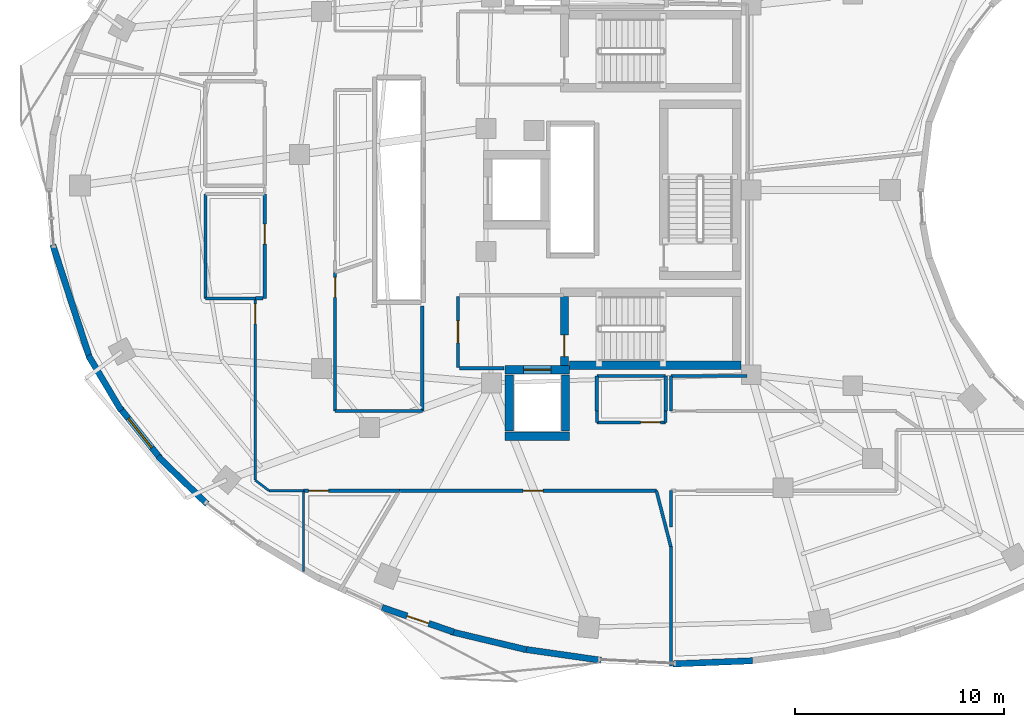
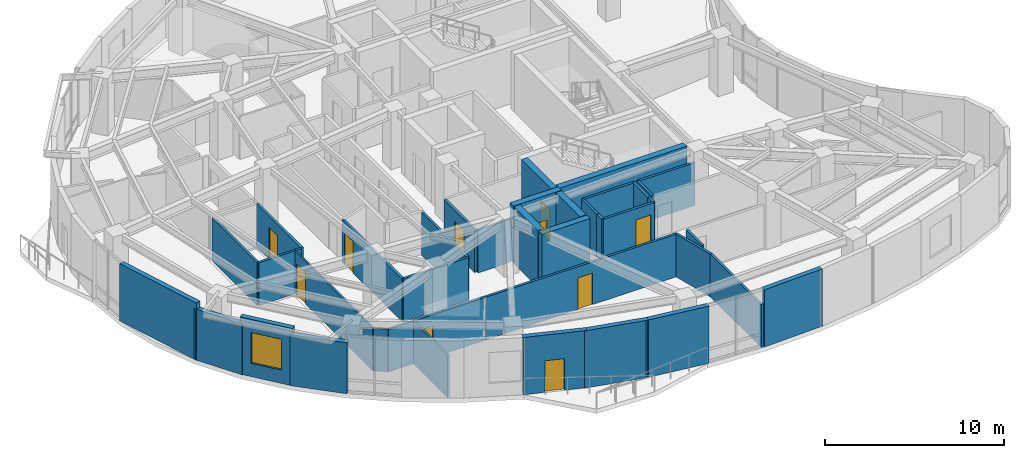
# One storey, part 8 of 14: 40 walls, 10 doors, 1 window, 11 openings.
"""IFC4 building model written with IfcOpenShell, lengths in metres."""

from ifc_helpers import new_model, si_unit, direction, frame, frame_2d, origin, place, context, subcontext, project, spatial, rectangle, extrude, material, layer, layer_set, type_object, element, fill, save


model = new_model("IFC4")

# Units and contexts
model_context = context("Model", 3, precision=1e-05, world=origin(), true_north=direction((0.0, 1.0)))
body_context = subcontext(model_context, "Body", "Model", "MODEL_VIEW")
ifc_project = project(units=[si_unit("LENGTHUNIT", "METRE"), si_unit("AREAUNIT", "SQUARE_METRE"), si_unit("VOLUMEUNIT", "CUBIC_METRE"), si_unit("PLANEANGLEUNIT", "RADIAN"), si_unit("MASSUNIT", "GRAM", prefix="KILO")], contexts=[model_context])

# Site, building, storey
site_placement = place(None, origin())
site = spatial("IfcSite", under=ifc_project, at=site_placement, CompositionType="ELEMENT")
building_placement = place(site_placement, origin())
building = spatial("IfcBuilding", under=site, at=building_placement, Name="Korentha Bioscience Tower", CompositionType="ELEMENT")
storey_placement = place(building_placement, frame((0.0, 0.0, 231.0)))
storey = spatial("IfcBuildingStorey", under=building, at=storey_placement, Name="L53", CompositionType="ELEMENT", Elevation=231.0)

# Wall, opening, door
ifc_material_1 = material(Name="Double-Stud Acoustic Gypsum", Category="gypsum")
ifc_layer_1 = layer(ifc_material_1, 0.14990234375, Name="Double-Stud Acoustic Gypsum")
ifc_layer_set_1 = layer_set([ifc_layer_1], Name="Double-Stud Acoustic Gypsum (IW-L150)")
wall_type_1 = type_object("IfcWallType", Name="Acoustic Laboratory Partition Wall 150", PredefinedType="PARTITIONING", material=ifc_layer_set_1)
wall_1_placement = place(storey_placement, frame((14.239990234375, 26.800048828125, 0.0), z_axis=(0.0, 0.0, 1.0), x_axis=(0.0, -1.0, 0.0)))
wall_1 = element("IfcWall", 1, at=wall_1_placement, inside=storey, type_object=wall_type_1, Name="L53 Reclaimed Bank-1 Cold Freezer Alcove Entrance Wall", PredefinedType="PARTITIONING", context=body_context, shape_type="SweptSolid", body=[
    extrude(rectangle(XDim=4.989990234375, YDim=0.14990234375, at=frame_2d((2.4951171875, 0.0))), origin(), (0.0, 0.0, 1.0), 2.909912109375),
])
opening_1_placement = place(wall_1_placement, frame((1.43994140625, 0.0, 0.0)))
opening_1 = element("IfcOpeningElement", 2, at=opening_1_placement, cuts=wall_1, Name="Opening ID-10R", PredefinedType="OPENING", context=body_context, shape_type="SweptSolid", body=[
    extrude(rectangle(XDim=0.949951171875, YDim=2.14990234375, at=frame_2d((0.47509765625, 1.074951171875))), frame((0.0, 0.08984375, 0.0), z_axis=(0.0, -1.0, 0.0), x_axis=(1.0, 0.0, 0.0)), (0.0, 0.0, 1.0), 0.1796875),
])
ifc_material_2 = material(Name="Phenolic Laminate Timber Core", Category="wood")
door_type_1 = type_object("IfcDoorType", Name="Laboratory Single Leaf Door 950x2150 Right", OperationType="SINGLE_SWING_RIGHT", PredefinedType="DOOR", material=ifc_material_2)
door_1_placement = place(opening_1_placement, origin())
door_1 = element("IfcDoor", 3, at=door_1_placement, inside=storey, type_object=door_type_1, Name="L53 Reclaimed Bank-1 Cold Freezer Alcove Door", OperationType="SINGLE_SWING_RIGHT", OverallHeight=2.14990234375, OverallWidth=0.949951171875, PredefinedType="DOOR", context=body_context, shape_type="SweptSolid", body=[
    extrude(rectangle(XDim=0.949951171875, YDim=2.14990234375, at=frame_2d((0.47509765625, 1.074951171875))), frame((0.0, 0.02490234375, 0.0), z_axis=(0.0, -1.0, 0.0), x_axis=(1.0, 0.0, 0.0)), (0.0, 0.0, 1.0), 0.050048828125),
])
fill(opening_1, door_1)

wall_2_placement = place(storey_placement, frame((17.610107421875, 16.409912109375, 0.0), z_axis=(0.0, 0.0, 1.0), x_axis=(0.0, 1.0, 0.0)))
wall_2 = element("IfcWall", 4, at=wall_2_placement, inside=storey, type_object=wall_type_1, Name="L53 Staff Pantry Kitchenette 02 Entrance Wall", PredefinedType="PARTITIONING", context=body_context, shape_type="SweptSolid", body=[
    extrude(rectangle(XDim=6.637939453125, YDim=0.14990234375, at=frame_2d((3.31884765625, 0.0))), origin(), (0.0, 0.0, 1.0), 2.909912109375),
])
opening_2_placement = place(wall_2_placement, frame((5.44775390625, 0.0, 0.0)))
opening_2 = element("IfcOpeningElement", 5, at=opening_2_placement, cuts=wall_2, Name="Opening ID-10L", PredefinedType="OPENING", context=body_context, shape_type="SweptSolid", body=[
    extrude(rectangle(XDim=0.949951171875, YDim=2.14990234375, at=frame_2d((0.47509765625, 1.074951171875))), frame((0.0, 0.08984375, 0.0), z_axis=(0.0, -1.0, 0.0), x_axis=(1.0, 0.0, 0.0)), (0.0, 0.0, 1.0), 0.1796875),
])
door_type_2 = type_object("IfcDoorType", Name="Laboratory Single Leaf Door 950x2150 Left", OperationType="SINGLE_SWING_LEFT", PredefinedType="DOOR", material=ifc_material_2)
door_2_placement = place(opening_2_placement, origin())
door_2 = element("IfcDoor", 6, at=door_2_placement, inside=storey, type_object=door_type_2, Name="L53 Staff Pantry Kitchenette 02 Door", OperationType="SINGLE_SWING_LEFT", OverallHeight=2.14990234375, OverallWidth=0.949951171875, PredefinedType="DOOR", context=body_context, shape_type="SweptSolid", body=[
    extrude(rectangle(XDim=0.949951171875, YDim=2.14990234375, at=frame_2d((0.47509765625, 1.074951171875))), frame((0.0, 0.02490234375, 0.0), z_axis=(0.0, -1.0, 0.0), x_axis=(1.0, 0.0, 0.0)), (0.0, 0.0, 1.0), 0.050048828125),
])
fill(opening_2, door_2)

wall_3_placement = place(storey_placement, frame((20.69775390625, 12.590087890625, 0.0), z_axis=(0.0, 0.0, 1.0), x_axis=(1.0, 0.0, 0.0)))
wall_3 = element("IfcWall", 7, at=wall_3_placement, inside=storey, type_object=wall_type_1, Name="L53 Biomechanical Motion Analysis Lab 04 Entrance Wall", PredefinedType="PARTITIONING", context=body_context, shape_type="SweptSolid", body=[
    extrude(rectangle(XDim=12.306884765625, YDim=0.14990234375, at=frame_2d((6.1533203125, 0.0))), origin(), (0.0, 0.0, 1.0), 2.909912109375),
])
opening_3_placement = place(wall_3_placement, frame((5.927001953125, 0.0, 0.0)))
opening_3 = element("IfcOpeningElement", 8, at=opening_3_placement, cuts=wall_3, Name="Opening ID-10L", PredefinedType="OPENING", context=body_context, shape_type="SweptSolid", body=[
    extrude(rectangle(XDim=0.949951171875, YDim=2.14990234375, at=frame_2d((0.47509765625, 1.074951171875))), frame((0.0, 0.08984375, 0.0), z_axis=(0.0, -1.0, 0.0), x_axis=(1.0, 0.0, 0.0)), (0.0, 0.0, 1.0), 0.1796875),
])
door_3_placement = place(opening_3_placement, origin())
door_3 = element("IfcDoor", 9, at=door_3_placement, inside=storey, type_object=door_type_2, Name="L53 Biomechanical Motion Analysis Lab 04 Door", OperationType="SINGLE_SWING_LEFT", OverallHeight=2.14990234375, OverallWidth=0.949951171875, PredefinedType="DOOR", context=body_context, shape_type="SweptSolid", body=[
    extrude(rectangle(XDim=0.949951171875, YDim=2.14990234375, at=frame_2d((0.47509765625, 1.074951171875))), frame((0.0, 0.02490234375, 0.0), z_axis=(0.0, -1.0, 0.0), x_axis=(1.0, 0.0, 0.0)), (0.0, 0.0, 1.0), 0.050048828125),
])
fill(opening_3, door_3)

# Walls
wall_4_placement = place(storey_placement, frame((14.162109375, 21.81005859375, 0.0), z_axis=(0.0, 0.0, 1.0), x_axis=(-1.0, 0.0, 0.0)))
element("IfcWall", 10, at=wall_4_placement, inside=storey, type_object=wall_type_1, Name="L53 Interior Partition 023", PredefinedType="PARTITIONING", context=body_context, shape_type="SweptSolid", body=[
    extrude(rectangle(XDim=0.362060546875, YDim=0.14990234375, at=frame_2d((0.18115234375, 0.0))), origin(), (0.0, 0.0, 1.0), 2.909912109375),
])
wall_5_placement = place(storey_placement, frame((13.7900390625, 21.800048828125, 0.0), z_axis=(0.0, 0.0, 1.0), x_axis=(-1.0, 0.0, 0.0)))
element("IfcWall", 11, at=wall_5_placement, inside=storey, type_object=wall_type_1, Name="L53 Interior Partition 024", PredefinedType="PARTITIONING", context=body_context, shape_type="SweptSolid", body=[
    extrude(rectangle(XDim=2.39013671875, YDim=0.14990234375, at=frame_2d((1.195068359375, 0.0))), origin(), (0.0, 0.0, 1.0), 2.909912109375),
])
wall_6_placement = place(storey_placement, frame((11.39990234375, 21.800048828125, 0.0), z_axis=(0.0, 0.0, 1.0), x_axis=(0.0, 1.0, 0.0)))
element("IfcWall", 12, at=wall_6_placement, inside=storey, type_object=wall_type_1, Name="L53 Interior Partition 025", PredefinedType="PARTITIONING", context=body_context, shape_type="SweptSolid", body=[
    extrude(rectangle(XDim=5.0, YDim=0.14990234375, at=frame_2d((2.5, 0.0))), origin(), (0.0, 0.0, 1.0), 2.909912109375),
])
wall_7_placement = place(storey_placement, frame((21.7900390625, 21.43994140625, 0.0), z_axis=(0.0, 0.0, 1.0), x_axis=(0.0, -1.0, 0.0)))
element("IfcWall", 13, at=wall_7_placement, inside=storey, type_object=wall_type_1, Name="L53 Interior Partition 038", PredefinedType="PARTITIONING", context=body_context, shape_type="SweptSolid", body=[
    extrude(rectangle(XDim=5.030029296875, YDim=0.14990234375, at=frame_2d((2.51513671875, 0.0))), origin(), (0.0, 0.0, 1.0), 2.909912109375),
])
wall_8_placement = place(storey_placement, frame((21.7900390625, 16.409912109375, 0.0), z_axis=(0.0, 0.0, 1.0), x_axis=(-1.0, 0.0, 0.0)))
element("IfcWall", 14, at=wall_8_placement, inside=storey, type_object=wall_type_1, Name="L53 Interior Partition 039", PredefinedType="PARTITIONING", context=body_context, shape_type="SweptSolid", body=[
    extrude(rectangle(XDim=4.179931640625, YDim=0.14990234375, at=frame_2d((2.08984375, 0.0))), origin(), (0.0, 0.0, 1.0), 2.909912109375),
])
wall_9_placement = place(storey_placement, frame((33.697998046875, 9.9091796875, 0.0), z_axis=(0.0, 0.0, 1.0), x_axis=(0.0, -1.0, 0.0)))
element("IfcWall", 15, at=wall_9_placement, inside=storey, type_object=wall_type_1, Name="L53 Interior Partition 042", PredefinedType="PARTITIONING", context=body_context, shape_type="SweptSolid", body=[
    extrude(rectangle(XDim=5.72314453125, YDim=0.14990234375, at=frame_2d((2.861572265625, 0.0))), origin(), (0.0, 0.0, 1.0), 2.909912109375),
])
wall_10_placement = place(storey_placement, frame((33.004638671875, 12.590087890625, 0.0), z_axis=(0.0, 0.0, 1.0), x_axis=(0.250389945948, -0.968145069175, 0.0)))
element("IfcWall", 16, at=wall_10_placement, inside=storey, type_object=wall_type_1, Name="L53 Interior Partition 043", PredefinedType="PARTITIONING", context=body_context, shape_type="SweptSolid", body=[
    extrude(rectangle(XDim=2.76904296875, YDim=0.14990234375, at=frame_2d((1.384521484375, 0.0))), origin(), (0.0, 0.0, 1.0), 2.909912109375),
])
wall_11_placement = place(storey_placement, frame((33.701904296875, 10.852294921875, 0.0), z_axis=(0.0, 0.0, 1.0), x_axis=(0.0, 1.0, 0.0)))
element("IfcWall", 17, at=wall_11_placement, inside=storey, type_object=wall_type_1, Name="L53 Interior Partition 047", PredefinedType="PARTITIONING", context=body_context, shape_type="SweptSolid", body=[
    extrude(rectangle(XDim=1.73779296875, YDim=0.14990234375, at=frame_2d((0.868896484375, 0.0))), origin(), (0.0, 0.0, 1.0), 2.909912109375),
])

# Wall, opening, door
ifc_material_3 = material(Name="Fire-Rated Framed Glass", Category="glass")
ifc_layer_2 = layer(ifc_material_3, 0.110107421875, Name="Fire-Rated Framed Glass")
ifc_layer_set_2 = layer_set([ifc_layer_2], Name="Fire-Rated Framed Glass (IW-G110)")
wall_type_2 = type_object("IfcWallType", Name="Demountable Glazed Office Partition 110", PredefinedType="MOVABLE", material=ifc_layer_set_2)
wall_12_placement = place(storey_placement, frame((13.7900390625, 21.7900390625, 0.0), z_axis=(0.0, 0.0, 1.0), x_axis=(0.0, -1.0, 0.0)))
wall_12 = element("IfcWall", 18, at=wall_12_placement, inside=storey, type_object=wall_type_2, Name="L53 Research Colloquium Seminar Room 01 Entrance Wall", PredefinedType="MOVABLE", context=body_context, shape_type="SweptSolid", body=[
    extrude(rectangle(XDim=8.69384765625, YDim=0.110107421875, at=frame_2d((4.346923828125, 0.0))), origin(), (0.0, 0.0, 1.0), 2.909912109375),
])
opening_4_placement = place(wall_12_placement, frame((0.251953125, 0.0, 0.0)))
opening_4 = element("IfcOpeningElement", 19, at=opening_4_placement, cuts=wall_12, Name="Opening ID-10R", PredefinedType="OPENING", context=body_context, shape_type="SweptSolid", body=[
    extrude(rectangle(XDim=0.949951171875, YDim=2.14990234375, at=frame_2d((0.47509765625, 1.074951171875))), frame((0.0, 0.06982421875, 0.0), z_axis=(0.0, -1.0, 0.0), x_axis=(1.0, 0.0, 0.0)), (0.0, 0.0, 1.0), 0.139892578125),
])
door_4_placement = place(opening_4_placement, origin())
door_4 = element("IfcDoor", 20, at=door_4_placement, inside=storey, type_object=door_type_1, Name="L53 Research Colloquium Seminar Room 01 Door", OperationType="SINGLE_SWING_RIGHT", OverallHeight=2.14990234375, OverallWidth=0.949951171875, PredefinedType="DOOR", context=body_context, shape_type="SweptSolid", body=[
    extrude(rectangle(XDim=0.949951171875, YDim=2.14990234375, at=frame_2d((0.47509765625, 1.074951171875))), frame((0.0, 0.02490234375, 0.0), z_axis=(0.0, -1.0, 0.0), x_axis=(1.0, 0.0, 0.0)), (0.0, 0.0, 1.0), 0.050048828125),
])
fill(opening_4, door_4)

# Walls
wall_13_placement = place(storey_placement, frame((13.7939453125, 13.088134765625, 0.0), z_axis=(0.0, 0.0, 1.0), x_axis=(0.796957719098, -0.604035093326, 0.0)))
element("IfcWall", 21, at=wall_13_placement, inside=storey, type_object=wall_type_2, Name="L53 Interior Partition 034", PredefinedType="MOVABLE", context=body_context, shape_type="SweptSolid", body=[
    extrude(rectangle(XDim=0.8212890625, YDim=0.110107421875, at=frame_2d((0.41064453125, 0.0))), origin(), (0.0, 0.0, 1.0), 2.909912109375),
])
wall_14_placement = place(storey_placement, frame((14.454345703125, 12.590087890625, 0.0), z_axis=(0.0, 0.0, 1.0), x_axis=(1.0, 0.0, 0.0)))
element("IfcWall", 22, at=wall_14_placement, inside=storey, type_object=wall_type_2, Name="L53 Interior Partition 035", PredefinedType="MOVABLE", context=body_context, shape_type="SweptSolid", body=[
    extrude(rectangle(XDim=1.6435546875, YDim=0.110107421875, at=frame_2d((0.82177734375, 0.0))), origin(), (0.0, 0.0, 1.0), 2.909912109375),
])
wall_15_placement = place(storey_placement, frame((16.097900390625, 12.590087890625, 0.0), z_axis=(0.0, 0.0, 1.0), x_axis=(0.0, -1.0, 0.0)))
element("IfcWall", 23, at=wall_15_placement, inside=storey, type_object=wall_type_2, Name="L53 Interior Partition 036", PredefinedType="MOVABLE", context=body_context, shape_type="SweptSolid", body=[
    extrude(rectangle(XDim=3.870361328125, YDim=0.110107421875, at=frame_2d((1.93505859375, 0.0))), origin(), (0.0, 0.0, 1.0), 2.909912109375),
])

# Wall, opening, door
ifc_material_4 = material(Name="Gypsum-Clad Steel Stud", Category="steel")
ifc_layer_3 = layer(ifc_material_4, 0.159912109375, Name="Gypsum-Clad Steel Stud")
ifc_layer_set_3 = layer_set([ifc_layer_3], Name="Gypsum-Clad Steel Stud (IW-C160)")
wall_type_3 = type_object("IfcWallType", Name="Fire-Rated Corridor Partition Wall 160", PredefinedType="PARTITIONING", material=ifc_layer_set_3)
wall_16_placement = place(storey_placement, frame((23.5, 18.5, 0.0), z_axis=(0.0, 0.0, 1.0), x_axis=(0.0, 1.0, 0.0)))
wall_16 = element("IfcWall", 24, at=wall_16_placement, inside=storey, type_object=wall_type_3, Name="L53 FFLS-CW Rated Enclosure Wall", PredefinedType="PARTITIONING", context=body_context, shape_type="SweptSolid", body=[
    extrude(rectangle(XDim=3.39990234375, YDim=0.159912109375, at=frame_2d((1.699951171875, 0.0))), origin(), (0.0, 0.0, 1.0), 2.909912109375),
])
opening_5_placement = place(wall_16_placement, frame((1.175048828125, 0.0, 0.0)))
opening_5 = element("IfcOpeningElement", 25, at=opening_5_placement, cuts=wall_16, Name="Opening FD-90R", PredefinedType="OPENING", context=body_context, shape_type="SweptSolid", body=[
    extrude(rectangle(XDim=1.050048828125, YDim=2.14990234375, at=frame_2d((0.52490234375, 1.074951171875))), frame((0.0, 0.0947265625, 0.0), z_axis=(0.0, -1.0, 0.0), x_axis=(1.0, 0.0, 0.0)), (0.0, 0.0, 1.0), 0.189697265625),
])
ifc_material_5 = material(Name="Powder-Coated Fire-Rated Steel", Category="steel")
door_type_3 = type_object("IfcDoorType", Name="Stairwell Fire Exit Door 1050x2150 Right", OperationType="SINGLE_SWING_RIGHT", PredefinedType="DOOR", material=ifc_material_5)
door_5_placement = place(opening_5_placement, origin())
door_5 = element("IfcDoor", 26, at=door_5_placement, inside=storey, type_object=door_type_3, Name="L53 South Firefighting Lobby Door", OperationType="SINGLE_SWING_RIGHT", OverallHeight=2.14990234375, OverallWidth=1.050048828125, PredefinedType="DOOR", context=body_context, shape_type="SweptSolid", body=[
    extrude(rectangle(XDim=1.050048828125, YDim=2.14990234375, at=frame_2d((0.52490234375, 1.074951171875))), frame((0.0, 0.02490234375, 0.0), z_axis=(0.0, -1.0, 0.0), x_axis=(1.0, 0.0, 0.0)), (0.0, 0.0, 1.0), 0.050048828125),
])
fill(opening_5, door_5)

# Wall
wall_17_placement = place(storey_placement, frame((23.580078125, 18.449951171875, 0.0), z_axis=(0.0, 0.0, 1.0), x_axis=(1.0, 0.0, 0.0)))
element("IfcWall", 27, at=wall_17_placement, inside=storey, type_object=wall_type_3, Name="L53 Firefighting Lobby Return Wall FFLS-S", PredefinedType="PARTITIONING", context=body_context, shape_type="SweptSolid", body=[
    extrude(rectangle(XDim=2.119873046875, YDim=0.159912109375, at=frame_2d((1.06005859375, 0.0))), origin(), (0.0, 0.0, 1.0), 2.909912109375),
])

# Wall, opening, door
wall_18_placement = place(storey_placement, frame((33.43994140625, 15.860107421875, 0.0), z_axis=(0.0, 0.0, 1.0), x_axis=(-1.0, 0.0, 0.0)))
wall_18 = element("IfcWall", 28, at=wall_18_placement, inside=storey, type_object=wall_type_3, Name="L53 Core Instrumentation and Gas Store Entrance Wall", PredefinedType="PARTITIONING", context=body_context, shape_type="SweptSolid", body=[
    extrude(rectangle(XDim=3.280029296875, YDim=0.159912109375, at=frame_2d((1.64013671875, 0.0))), origin(), (0.0, 0.0, 1.0), 2.909912109375),
])
opening_6_placement = place(wall_18_placement, frame((0.239990234375, 0.0, 0.0)))
opening_6 = element("IfcOpeningElement", 29, at=opening_6_placement, cuts=wall_18, Name="Opening ID-10R", PredefinedType="OPENING", context=body_context, shape_type="SweptSolid", body=[
    extrude(rectangle(XDim=0.949951171875, YDim=2.14990234375, at=frame_2d((0.47509765625, 1.074951171875))), frame((0.0, 0.0947265625, 0.0), z_axis=(0.0, -1.0, 0.0), x_axis=(1.0, 0.0, 0.0)), (0.0, 0.0, 1.0), 0.189697265625),
])
door_6_placement = place(opening_6_placement, origin())
door_6 = element("IfcDoor", 30, at=door_6_placement, inside=storey, type_object=door_type_1, Name="L53 Core Instrumentation and Gas Store Door", OperationType="SINGLE_SWING_RIGHT", OverallHeight=2.14990234375, OverallWidth=0.949951171875, PredefinedType="DOOR", context=body_context, shape_type="SweptSolid", body=[
    extrude(rectangle(XDim=0.949951171875, YDim=2.14990234375, at=frame_2d((0.47509765625, 1.074951171875))), frame((0.0, 0.02490234375, 0.0), z_axis=(0.0, -1.0, 0.0), x_axis=(1.0, 0.0, 0.0)), (0.0, 0.0, 1.0), 0.050048828125),
])
fill(opening_6, door_6)

wall_19_placement = place(storey_placement, frame((16.10791015625, 12.590087890625, 0.0), z_axis=(0.0, 0.0, 1.0), x_axis=(1.0, 0.0, 0.0)))
wall_19 = element("IfcWall", 31, at=wall_19_placement, inside=storey, type_object=wall_type_3, Name="L53 Biospecimen Archive Store 03 Entrance Wall", PredefinedType="PARTITIONING", context=body_context, shape_type="SweptSolid", body=[
    extrude(rectangle(XDim=4.579833984375, YDim=0.159912109375, at=frame_2d((2.2900390625, 0.0))), origin(), (0.0, 0.0, 1.0), 2.909912109375),
])
opening_7_placement = place(wall_19_placement, frame((0.239990234375, 0.0, 0.0)))
opening_7 = element("IfcOpeningElement", 32, at=opening_7_placement, cuts=wall_19, Name="Opening ID-10R", PredefinedType="OPENING", context=body_context, shape_type="SweptSolid", body=[
    extrude(rectangle(XDim=0.949951171875, YDim=2.14990234375, at=frame_2d((0.47509765625, 1.074951171875))), frame((0.0, 0.0947265625, 0.0), z_axis=(0.0, -1.0, 0.0), x_axis=(1.0, 0.0, 0.0)), (0.0, 0.0, 1.0), 0.189697265625),
])
door_7_placement = place(opening_7_placement, origin())
door_7 = element("IfcDoor", 33, at=door_7_placement, inside=storey, type_object=door_type_1, Name="L53 Biospecimen Archive Store 03 Door", OperationType="SINGLE_SWING_RIGHT", OverallHeight=2.14990234375, OverallWidth=0.949951171875, PredefinedType="DOOR", context=body_context, shape_type="SweptSolid", body=[
    extrude(rectangle(XDim=0.949951171875, YDim=2.14990234375, at=frame_2d((0.47509765625, 1.074951171875))), frame((0.0, 0.02490234375, 0.0), z_axis=(0.0, -1.0, 0.0), x_axis=(1.0, 0.0, 0.0)), (0.0, 0.0, 1.0), 0.050048828125),
])
fill(opening_7, door_7)

# Walls
for number, where, z_axis, x_axis, name in (
    (34, (33.43994140625, 16.39990234375, 0.0), (0.0, 0.0, 1.0), (0.0, -1.0, 0.0), "L53 Interior Partition 016"),
    (35, (30.159912109375, 15.860107421875, 0.0), (0.0, 0.0, 1.0), (0.0, 1.0, 0.0), "L53 Interior Partition 017"),
):
    element("IfcWall", number, at=place(storey_placement, frame(where, z_axis=z_axis, x_axis=x_axis)), inside=storey, type_object=wall_type_3, Name=name, PredefinedType="PARTITIONING", context=body_context, shape_type="SweptSolid", body=[
        extrude(rectangle(XDim=0.539794921875, YDim=0.159912109375, at=frame_2d((0.27001953125, 0.0))), origin(), (0.0, 0.0, 1.0), 2.909912109375),
    ])
wall_20_placement = place(storey_placement, frame((30.14990234375, 16.409912109375, 0.0), z_axis=(0.0, 0.0, 1.0), x_axis=(0.0, 1.0, 0.0)))
element("IfcWall", 36, at=wall_20_placement, inside=storey, type_object=wall_type_3, Name="L53 Interior Partition 018", PredefinedType="PARTITIONING", context=body_context, shape_type="SweptSolid", body=[
    extrude(rectangle(XDim=1.68017578125, YDim=0.159912109375, at=frame_2d((0.840087890625, 0.0))), origin(), (0.0, 0.0, 1.0), 2.909912109375),
])
wall_21_placement = place(storey_placement, frame((30.14990234375, 18.090087890625, 0.0), z_axis=(0.0, 0.0, 1.0), x_axis=(1.0, 0.0, 0.0)))
element("IfcWall", 37, at=wall_21_placement, inside=storey, type_object=wall_type_3, Name="L53 Interior Partition 019", PredefinedType="PARTITIONING", context=body_context, shape_type="SweptSolid", body=[
    extrude(rectangle(XDim=3.300048828125, YDim=0.159912109375, at=frame_2d((1.64990234375, 0.0))), origin(), (0.0, 0.0, 1.0), 2.909912109375),
])
wall_22_placement = place(storey_placement, frame((33.449951171875, 18.090087890625, 0.0), z_axis=(0.0, 0.0, 1.0), x_axis=(0.0, -1.0, 0.0)))
element("IfcWall", 38, at=wall_22_placement, inside=storey, type_object=wall_type_3, Name="L53 Interior Partition 020", PredefinedType="PARTITIONING", context=body_context, shape_type="SweptSolid", body=[
    extrude(rectangle(XDim=1.68017578125, YDim=0.159912109375, at=frame_2d((0.840087890625, 0.0))), origin(), (0.0, 0.0, 1.0), 2.909912109375),
])
wall_23_placement = place(storey_placement, frame((33.701904296875, 18.090087890625, 0.0), z_axis=(0.0, 0.0, 1.0), x_axis=(1.0, 0.0, 0.0)))
element("IfcWall", 39, at=wall_23_placement, inside=storey, type_object=wall_type_3, Name="L53 Interior Partition 048", PredefinedType="PARTITIONING", context=body_context, shape_type="SweptSolid", body=[
    extrude(rectangle(XDim=3.648193359375, YDim=0.159912109375, at=frame_2d((1.82421875, 0.0))), origin(), (0.0, 0.0, 1.0), 2.909912109375),
])
wall_24_placement = place(storey_placement, frame((33.701904296875, 16.409912109375, 0.0), z_axis=(0.0, 0.0, 1.0), x_axis=(0.0, 1.0, 0.0)))
element("IfcWall", 40, at=wall_24_placement, inside=storey, type_object=wall_type_3, Name="L53 Interior Partition 052", PredefinedType="PARTITIONING", context=body_context, shape_type="SweptSolid", body=[
    extrude(rectangle(XDim=1.68017578125, YDim=0.159912109375, at=frame_2d((0.840087890625, 0.0))), origin(), (0.0, 0.0, 1.0), 2.909912109375),
])

# Wall, opening, window
ifc_material_6 = material(Name="Honed Limestone Precast Concrete C40", Category="masonry")
ifc_layer_4 = layer(ifc_material_6, 0.300048828125, Name="Honed Limestone Precast Concrete C40")
ifc_layer_set_4 = layer_set([ifc_layer_4], Name="Honed Limestone Precast Concrete C40 (EW-ST300)")
wall_type_4 = type_object("IfcWallType", Name="Honed Limestone Cavity Spandrel Wall 300", PredefinedType="STANDARD", material=ifc_layer_set_4)
wall_25_placement = place(storey_placement, frame((7.28955078125, 16.57861328125, 0.0), z_axis=(0.0, 0.0, 1.0), x_axis=(0.624095877763, -0.781347768512, 0.0)))
wall_25 = element("IfcWall", 41, at=wall_25_placement, inside=storey, type_object=wall_type_4, Name="L53 Honed Limestone Spandrel Wall 23", PredefinedType="STANDARD", context=body_context, shape_type="SweptSolid", body=[
    extrude(rectangle(XDim=3.131591796875, YDim=0.300048828125, at=frame_2d((1.56591796875, 0.0))), origin(), (0.0, 0.0, 1.0), 3.89990234375),
])
opening_8_placement = place(wall_25_placement, frame((0.665771484375, 0.0, 0.89990234375)))
opening_8 = element("IfcOpeningElement", 42, at=opening_8_placement, cuts=wall_25, Name="Opening WN-01", PredefinedType="OPENING", context=body_context, shape_type="SweptSolid", body=[
    extrude(rectangle(XDim=1.800048828125, YDim=2.10009765625, at=frame_2d((0.89990234375, 1.050048828125))), frame((0.0, 0.1650390625, 0.0), z_axis=(0.0, -1.0, 0.0), x_axis=(1.0, 0.0, 0.0)), (0.0, 0.0, 1.0), 0.329833984375),
])
ifc_material_7 = material(Name="Thermally Broken Aluminium Triple Glazing", Category="aluminium")
window_type = type_object("IfcWindowType", Name="Triple-Glazed Fixed Bioscience Window 1800x2100", PartitioningType="SINGLE_PANEL", PredefinedType="WINDOW", material=ifc_material_7)
window_placement = place(opening_8_placement, origin())
window = element("IfcWindow", 43, at=window_placement, inside=storey, type_object=window_type, Name="L53 Facade Window 23", OverallHeight=2.10009765625, OverallWidth=1.800048828125, PartitioningType="SINGLE_PANEL", PredefinedType="WINDOW", context=body_context, shape_type="SweptSolid", body=[
    extrude(rectangle(XDim=1.800048828125, YDim=2.10009765625, at=frame_2d((0.89990234375, 1.050048828125))), frame((0.0, 0.030029296875, 0.0), z_axis=(0.0, -1.0, 0.0), x_axis=(1.0, 0.0, 0.0)), (0.0, 0.0, 1.0), 0.06005859375),
])
fill(opening_8, window)

# Wall, opening, door
wall_26_placement = place(storey_placement, frame((19.864013671875, 7.0, 0.0), z_axis=(0.0, 0.0, 1.0), x_axis=(0.945702753898, -0.325032769531, 0.0)))
wall_26 = element("IfcWall", 44, at=wall_26_placement, inside=storey, type_object=wall_type_4, Name="L53 Balcony Threshold Wall 03", PredefinedType="STANDARD", context=body_context, shape_type="SweptSolid", body=[
    extrude(rectangle(XDim=3.62939453125, YDim=0.300048828125, at=frame_2d((1.814697265625, 0.0))), origin(), (0.0, 0.0, 1.0), 3.89990234375),
])
opening_9_placement = place(wall_26_placement, frame((1.264892578125, 0.0, 0.0)))
opening_9 = element("IfcOpeningElement", 45, at=opening_9_placement, cuts=wall_26, Name="Opening BD-11L", PredefinedType="OPENING", context=body_context, shape_type="SweptSolid", body=[
    extrude(rectangle(XDim=1.10009765625, YDim=2.14990234375, at=frame_2d((0.550048828125, 1.074951171875))), frame((0.0, 0.1650390625, 0.0), z_axis=(0.0, -1.0, 0.0), x_axis=(1.0, 0.0, 0.0)), (0.0, 0.0, 1.0), 0.329833984375),
])
ifc_material_8 = material(Name="Thermally Broken Glazed Aluminium", Category="aluminium")
door_type_4 = type_object("IfcDoorType", Name="Balcony Terrace Glazed Door 1100x2150 Left", OperationType="SINGLE_SWING_LEFT", PredefinedType="DOOR", material=ifc_material_8)
door_8_placement = place(opening_9_placement, origin())
door_8 = element("IfcDoor", 46, at=door_8_placement, inside=storey, type_object=door_type_4, Name="L53 Balcony Access Door 03", OperationType="SINGLE_SWING_LEFT", OverallHeight=2.14990234375, OverallWidth=1.10009765625, PredefinedType="DOOR", context=body_context, shape_type="SweptSolid", body=[
    extrude(rectangle(XDim=1.10009765625, YDim=2.14990234375, at=frame_2d((0.550048828125, 1.074951171875))), frame((0.0, 0.02490234375, 0.0), z_axis=(0.0, -1.0, 0.0), x_axis=(1.0, 0.0, 0.0)), (0.0, 0.0, 1.0), 0.050048828125),
])
fill(opening_9, door_8)

# Walls
wall_27_placement = place(storey_placement, frame((4.08447265625, 24.37939453125, 0.0), z_axis=(0.0, 0.0, 1.0), x_axis=(0.309937285623, -0.95075700312, 0.0)))
element("IfcWall", 47, at=wall_27_placement, inside=storey, type_object=wall_type_4, Name="L53 Limestone Perimeter Closure Wall 20", PredefinedType="STANDARD", context=body_context, shape_type="SweptSolid", body=[
    extrude(rectangle(XDim=5.758056640625, YDim=0.300048828125, at=frame_2d((2.87890625, 0.0))), origin(), (0.0, 0.0, 1.0), 3.89990234375),
])
wall_28_placement = place(storey_placement, frame((5.790771484375, 19.07763671875, 0.0), z_axis=(0.0, 0.0, 1.0), x_axis=(0.511305212285, -0.85939919705, 0.0)))
element("IfcWall", 48, at=wall_28_placement, inside=storey, type_object=wall_type_4, Name="L53 Limestone Perimeter Closure Wall 22", PredefinedType="STANDARD", context=body_context, shape_type="SweptSolid", body=[
    extrude(rectangle(XDim=3.075439453125, YDim=0.300048828125, at=frame_2d((1.53759765625, 0.0))), origin(), (0.0, 0.0, 1.0), 3.469970703125),
])
wall_29_placement = place(storey_placement, frame((9.12109375, 14.235107421875, 0.0), z_axis=(0.0, 0.0, 1.0), x_axis=(0.718999544538, -0.695010543052, 0.0)))
element("IfcWall", 49, at=wall_29_placement, inside=storey, type_object=wall_type_4, Name="L53 Limestone Perimeter Closure Wall 24", PredefinedType="STANDARD", context=body_context, shape_type="SweptSolid", body=[
    extrude(rectangle(XDim=3.277099609375, YDim=0.300048828125, at=frame_2d((1.638671875, 0.0))), origin(), (0.0, 0.0, 1.0), 3.469970703125),
])
wall_30_placement = place(storey_placement, frame((23.142578125, 5.84326171875, 0.0), z_axis=(0.0, 0.0, 1.0), x_axis=(0.972475629939, -0.233004611918, 0.0)))
element("IfcWall", 50, at=wall_30_placement, inside=storey, type_object=wall_type_4, Name="L53 Limestone Perimeter Closure Wall 29", PredefinedType="STANDARD", context=body_context, shape_type="SweptSolid", body=[
    extrude(rectangle(XDim=3.7353515625, YDim=0.300048828125, at=frame_2d((1.86767578125, 0.0))), origin(), (0.0, 0.0, 1.0), 3.89990234375),
])
wall_31_placement = place(storey_placement, frame((26.60546875, 5.00537109375, 0.0), z_axis=(0.0, 0.0, 1.0), x_axis=(0.989897776303, -0.141782906128, 0.0)))
element("IfcWall", 51, at=wall_31_placement, inside=storey, type_object=wall_type_4, Name="L53 Limestone Perimeter Closure Wall 30", PredefinedType="STANDARD", context=body_context, shape_type="SweptSolid", body=[
    extrude(rectangle(XDim=3.78125, YDim=0.300048828125, at=frame_2d((1.890625, 0.0))), origin(), (0.0, 0.0, 1.0), 3.89990234375),
])
wall_32_placement = place(storey_placement, frame((33.804931640625, 4.29248046875, 0.0), z_axis=(0.0, 0.0, 1.0), x_axis=(0.999221923177, 0.039440439173, 0.0)))
element("IfcWall", 52, at=wall_32_placement, inside=storey, type_object=wall_type_4, Name="L53 Limestone Perimeter Closure Wall 32", PredefinedType="STANDARD", context=body_context, shape_type="SweptSolid", body=[
    extrude(rectangle(XDim=3.806884765625, YDim=0.300048828125, at=frame_2d((1.9033203125, 0.0))), origin(), (0.0, 0.0, 1.0), 3.89990234375),
])
ifc_material_9 = material(Name="Concrete C65", Category="concrete")
ifc_layer_5 = layer(ifc_material_9, 0.39990234375, Name="Concrete C65")
ifc_layer_set_5 = layer_set([ifc_layer_5], Name="Concrete C65 (CW-C65)")
wall_type_5 = type_object("IfcWallType", Name="Mid-Rise Core Shear Wall 400", PredefinedType="SHEAR", material=ifc_layer_set_5)
wall_33_placement = place(storey_placement, frame((28.85205078125, 18.60009765625, 0.0), z_axis=(0.0, 0.0, 1.0), x_axis=(1.0, 0.0, 0.0)))
element("IfcWall", 53, at=wall_33_placement, inside=storey, type_object=wall_type_5, Name="L53 Core Shear Wall ST2-S", PredefinedType="SHEAR", context=body_context, shape_type="SweptSolid", body=[
    extrude(rectangle(XDim=8.197998046875, YDim=0.39990234375, at=frame_2d((4.09912109375, 0.0))), origin(), (0.0, 0.0, 1.0), 3.89990234375),
])

# Wall, opening, door
wall_34_placement = place(storey_placement, frame((28.60009765625, 18.58203125, 0.0), z_axis=(0.0, 0.0, 1.0), x_axis=(0.0, 1.0, 0.0)))
wall_34 = element("IfcWall", 54, at=wall_34_placement, inside=storey, type_object=wall_type_5, Name="L53 Core Shear Wall ST2-W", PredefinedType="SHEAR", context=body_context, shape_type="SweptSolid", body=[
    extrude(rectangle(XDim=3.307861328125, YDim=0.39990234375, at=frame_2d((1.65380859375, 0.0))), origin(), (0.0, 0.0, 1.0), 3.89990234375),
])
opening_10_placement = place(wall_34_placement, frame((0.427978515625, 0.0, 0.0)))
opening_10 = element("IfcOpeningElement", 55, at=opening_10_placement, cuts=wall_34, Name="Opening FD-90R", PredefinedType="OPENING", context=body_context, shape_type="SweptSolid", body=[
    extrude(rectangle(XDim=1.050048828125, YDim=2.14990234375, at=frame_2d((0.52490234375, 1.074951171875))), frame((0.0, 0.21484375, 0.0), z_axis=(0.0, -1.0, 0.0), x_axis=(1.0, 0.0, 0.0)), (0.0, 0.0, 1.0), 0.4296875),
])
door_9_placement = place(opening_10_placement, origin())
door_9 = element("IfcDoor", 56, at=door_9_placement, inside=storey, type_object=door_type_3, Name="L53 ST-2 Fire Exit Stair Door", OperationType="SINGLE_SWING_RIGHT", OverallHeight=2.14990234375, OverallWidth=1.050048828125, PredefinedType="DOOR", context=body_context, shape_type="SweptSolid", body=[
    extrude(rectangle(XDim=1.050048828125, YDim=2.14990234375, at=frame_2d((0.52490234375, 1.074951171875))), frame((0.0, 0.02490234375, 0.0), z_axis=(0.0, -1.0, 0.0), x_axis=(1.0, 0.0, 0.0)), (0.0, 0.0, 1.0), 0.050048828125),
])
fill(opening_10, door_9)

# Wall
wall_35_placement = place(storey_placement, frame((25.75, 15.199951171875, 0.0), z_axis=(0.0, 0.0, 1.0), x_axis=(1.0, 0.0, 0.0)))
element("IfcWall", 57, at=wall_35_placement, inside=storey, type_object=wall_type_5, Name="L53 Core Shear Wall FFL1-S", PredefinedType="SHEAR", context=body_context, shape_type="SweptSolid", body=[
    extrude(rectangle(XDim=3.10009765625, YDim=0.39990234375, at=frame_2d((1.550048828125, 0.0))), origin(), (0.0, 0.0, 1.0), 3.89990234375),
])

# Wall, opening, door
wall_36_placement = place(storey_placement, frame((25.75, 18.3798828125, 0.0), z_axis=(0.0, 0.0, 1.0), x_axis=(1.0, 0.0, 0.0)))
wall_36 = element("IfcWall", 58, at=wall_36_placement, inside=storey, type_object=wall_type_5, Name="L53 Core Shear Wall FFL1-N", PredefinedType="SHEAR", context=body_context, shape_type="SweptSolid", body=[
    extrude(rectangle(XDim=3.10009765625, YDim=0.39990234375, at=frame_2d((1.550048828125, 0.0))), origin(), (0.0, 0.0, 1.0), 3.89990234375),
])
opening_11_placement = place(wall_36_placement, frame((0.89990234375, 0.0, 0.0)))
opening_11 = element("IfcOpeningElement", 59, at=opening_11_placement, cuts=wall_36, Name="Opening LD-13", PredefinedType="OPENING", context=body_context, shape_type="SweptSolid", body=[
    extrude(rectangle(XDim=1.300048828125, YDim=2.199951171875, at=frame_2d((0.64990234375, 1.10009765625))), frame((0.0, 0.21484375, 0.0), z_axis=(0.0, -1.0, 0.0), x_axis=(1.0, 0.0, 0.0)), (0.0, 0.0, 1.0), 0.4296875),
])
ifc_material_10 = material(Name="Brushed Stainless Steel 316", Category="steel")
door_type_5 = type_object("IfcDoorType", Name="Service & Firefighting Lift Landing Door 1300x2300", OperationType="DOUBLE_DOOR_SLIDING", PredefinedType="DOOR", material=ifc_material_10)
door_10_placement = place(opening_11_placement, origin())
door_10 = element("IfcDoor", 60, at=door_10_placement, inside=storey, type_object=door_type_5, Name="L53 FFL-1 Sliding Lift Landing Door", OperationType="DOUBLE_DOOR_SLIDING", OverallHeight=2.199951171875, OverallWidth=1.300048828125, PredefinedType="DOOR", context=body_context, shape_type="SweptSolid", body=[
    extrude(rectangle(XDim=1.300048828125, YDim=2.199951171875, at=frame_2d((0.64990234375, 1.10009765625))), frame((0.0, 0.02490234375, 0.0), z_axis=(0.0, -1.0, 0.0), x_axis=(1.0, 0.0, 0.0)), (0.0, 0.0, 1.0), 0.050048828125),
])
fill(opening_11, door_10)

# Walls
for number, where, z_axis, x_axis, name in (
    (61, (25.949951171875, 15.43994140625, 0.0), (0.0, 0.0, 1.0), (0.0, 1.0, 0.0), "L53 Core Shear Wall FFL1-W"),
    (62, (28.64990234375, 15.43994140625, 0.0), (0.0, 0.0, 1.0), (0.0, 1.0, 0.0), "L53 Core Shear Wall FFL1-E"),
):
    element("IfcWall", number, at=place(storey_placement, frame(where, z_axis=z_axis, x_axis=x_axis)), inside=storey, type_object=wall_type_5, Name=name, PredefinedType="SHEAR", context=body_context, shape_type="SweptSolid", body=[
        extrude(rectangle(XDim=2.699951171875, YDim=0.39990234375, at=frame_2d((1.35009765625, 0.0))), origin(), (0.0, 0.0, 1.0), 3.89990234375),
    ])

save(model, "model.ifc")
